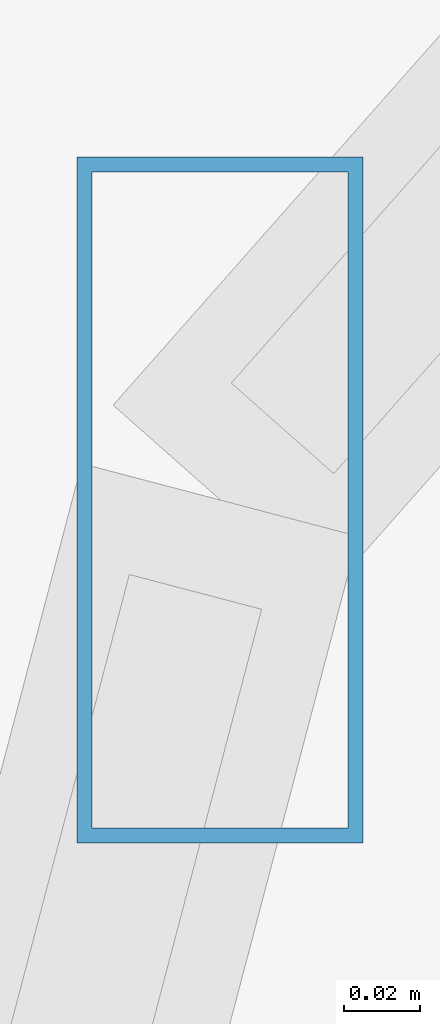
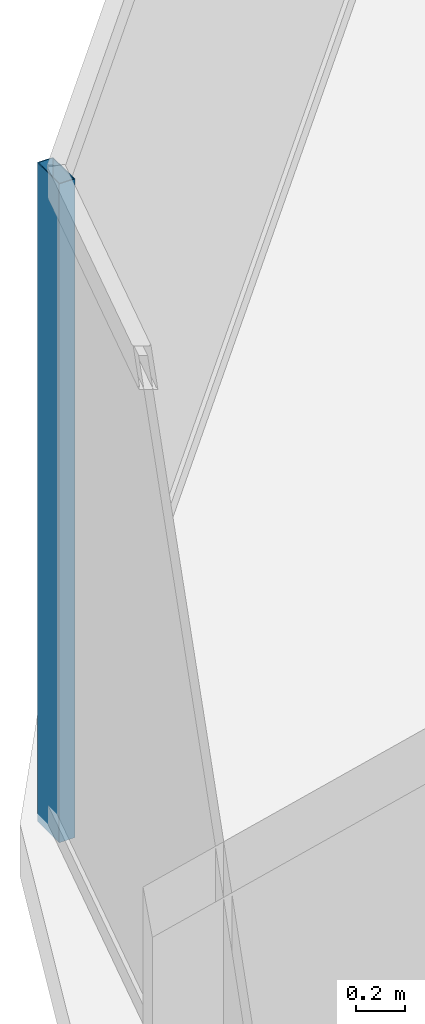
# One storey, part 9 of 33: 1 member, 1 element without a shape of its own.
"""IFC4 building model written with IfcOpenShell, lengths in metres."""

from ifc_helpers import new_model, si_unit, direction, frame, origin, origin_2d, place, context, subcontext, project, spatial, hollow_rectangle, extrude, material, material_profile, profile_set, type_object, element, aggregate, save


model = new_model("IFC4")

# Units and contexts
model_context = context("Model", 3, precision=1e-05, world=origin(), true_north=direction((0.0, 1.0)))
body_context = subcontext(model_context, "Body", "Model", "MODEL_VIEW")
ifc_project = project(units=[si_unit("LENGTHUNIT", "METRE"), si_unit("AREAUNIT", "SQUARE_METRE"), si_unit("VOLUMEUNIT", "CUBIC_METRE"), si_unit("PLANEANGLEUNIT", "RADIAN"), si_unit("MASSUNIT", "GRAM", prefix="KILO")], contexts=[model_context])

# Site, building, storey
site_placement = place(None, origin())
site = spatial("IfcSite", under=ifc_project, at=site_placement, CompositionType="ELEMENT")
building_placement = place(site_placement, origin())
building = spatial("IfcBuilding", under=site, at=building_placement, Name="Vorneva Point Tower", CompositionType="ELEMENT")
storey_placement = place(building_placement, frame((0.0, 0.0, 38.0)))
storey = spatial("IfcBuildingStorey", under=building, at=storey_placement, Name="L09", CompositionType="ELEMENT", Elevation=38.0)

# Curtain wall, member
ifc_material = material(Name="Pale anodised aluminium", Category="aluminium")
curtain_wall_type = type_object("IfcCurtainWallType", Name="CW-HTL-SYS", PredefinedType="NOTDEFINED", material=ifc_material)
curtain_wall_placement = place(storey_placement, origin())
curtain_wall = element("IfcCurtainWall", 1, at=curtain_wall_placement, inside=storey, type_object=curtain_wall_type, Name="L09 Unitised Curtain Wall CW-L09-R03", PredefinedType="NOTDEFINED")
ifc_material_profile = material_profile(ifc_material, hollow_rectangle(XDim=0.074951171875, YDim=0.179931640625, WallThickness=0.00390625, at=origin_2d()), Name="AL-MUL 180x75x4")
ifc_profile_set = profile_set([ifc_material_profile], Name="Pale anodised aluminium")
member_type = type_object("IfcMemberType", Name="CW-MUL-180", PredefinedType="MULLION", material=ifc_profile_set)
member_placement = place(storey_placement, frame((10.699462890625, 34.552978515625, -0.0400390625), z_axis=(0.0, 0.0, 1.0), x_axis=(1.0, 0.0, 0.0)))
member = element("IfcMember", 2, at=member_placement, type_object=member_type, Name="CW-L09-R03 Mullion 02", PredefinedType="MULLION", context=body_context, shape_type="SweptSolid", body=[
    extrude(hollow_rectangle(XDim=0.074951171875, YDim=0.179931640625, WallThickness=0.00390625, at=origin_2d()), origin(), (0.0, 0.0, 1.0), 3.31005859375),
])
aggregate(curtain_wall, [member])

save(model, "model.ifc")
